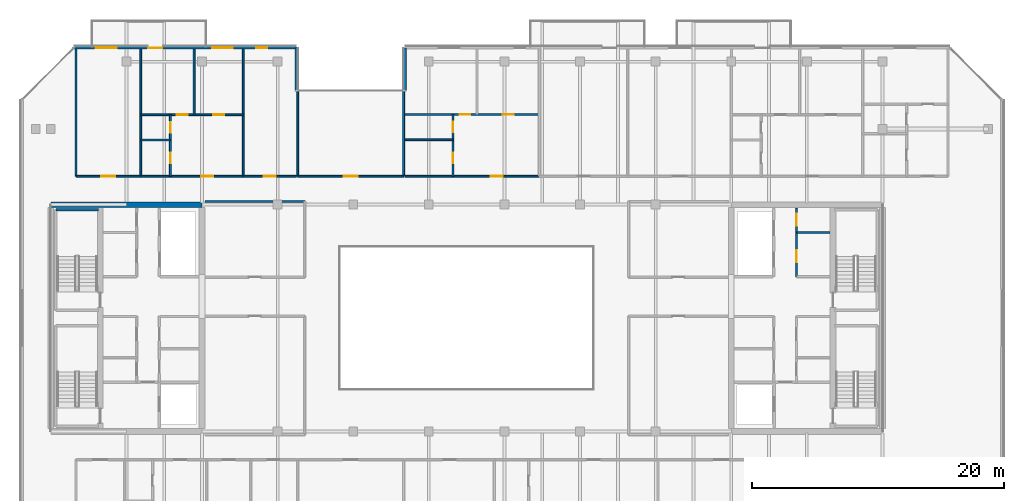
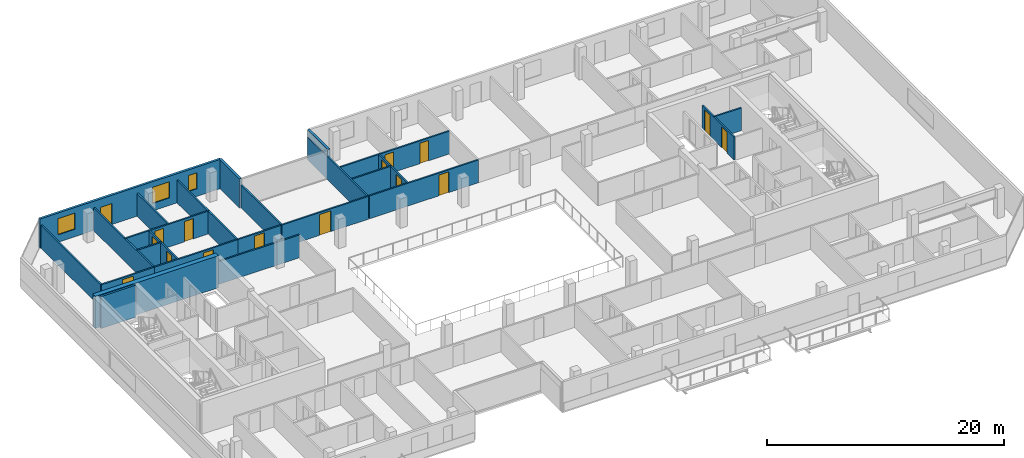
# One storey, part 17 of 24: 25 walls, 16 doors, 3 windows, 19 openings.
"""IFC4 building model written with IfcOpenShell, lengths in metres."""

from ifc_helpers import new_model, si_unit, direction, frame, frame_2d, origin, place, context, subcontext, project, spatial, rectangle, extrude, material, layer, layer_set, type_object, element, fill, save


model = new_model("IFC4")

# Units and contexts
model_context = context("Model", 3, precision=1e-05, world=origin(), true_north=direction((0.0, 1.0)))
body_context = subcontext(model_context, "Body", "Model", "MODEL_VIEW")
ifc_project = project(units=[si_unit("LENGTHUNIT", "METRE"), si_unit("AREAUNIT", "SQUARE_METRE"), si_unit("VOLUMEUNIT", "CUBIC_METRE"), si_unit("PLANEANGLEUNIT", "RADIAN"), si_unit("MASSUNIT", "GRAM", prefix="KILO")], contexts=[model_context])

# Site, building, storey
site_placement = place(None, origin())
site = spatial("IfcSite", under=ifc_project, at=site_placement, CompositionType="ELEMENT")
building_placement = place(site_placement, origin())
building = spatial("IfcBuilding", under=site, at=building_placement, Name="Tanjung Sevakor Pilgrim Tower", CompositionType="ELEMENT")
storey_placement = place(building_placement, frame((0.0, 0.0, 226.050048828125)))
storey = spatial("IfcBuildingStorey", under=building, at=storey_placement, Name="L63", CompositionType="ELEMENT", Elevation=226.050048828125)

# Walls
ifc_material_1 = material(Name="Concrete C60/75", Category="concrete")
ifc_layer_1 = layer(ifc_material_1, 0.449951171875)
ifc_layer_set_1 = layer_set([ifc_layer_1], Name="WALL-CW-450")
wall_type_1 = type_object("IfcWallType", Name="WALL-CW-450", PredefinedType="SHEAR", material=ifc_layer_set_1)
wall_1_placement = place(storey_placement, frame((36.0, 42.60009765625, 0.0), z_axis=(0.0, 0.0, 1.0), x_axis=(-1.0, 0.0, 0.0)))
element("IfcWall", 1, at=wall_1_placement, inside=storey, type_object=wall_type_1, Name="L63 W Core North Shear Wall", PredefinedType="SHEAR", context=body_context, shape_type="SweptSolid", body=[
    extrude(rectangle(XDim=12.0, YDim=0.449951171875, at=frame_2d((6.0, 0.0))), origin(), (0.0, 0.0, 1.0), 3.300048828125),
])
ifc_material_2 = material(Name="Concrete C40/50", Category="concrete")
ifc_layer_2 = layer(ifc_material_2, 0.14990234375)
ifc_layer_set_2 = layer_set([ifc_layer_2], Name="WT-COMP-150")
wall_type_2 = type_object("IfcWallType", Name="WT-COMP-150", PredefinedType="SOLIDWALL", material=ifc_layer_set_2)
wall_2_placement = place(storey_placement, frame((83.199951171875, 40.389892578125, 0.0), z_axis=(0.0, 0.0, 1.0), x_axis=(1.0, 0.0, 0.0)))
element("IfcWall", 2, at=wall_2_placement, inside=storey, type_object=wall_type_2, Name="L63 Partition IW-L63-023", PredefinedType="SOLIDWALL", context=body_context, shape_type="SweptSolid", body=[
    extrude(rectangle(XDim=2.630126953125, YDim=0.14990234375, at=frame_2d((1.31494140625, 0.0))), origin(), (0.0, 0.0, 1.0), 2.35009765625),
])

# Wall, openings, doors
wall_3_placement = place(storey_placement, frame((83.179931640625, 36.8798828125, 0.0), z_axis=(0.0, 0.0, 1.0), x_axis=(0.0, 1.0, 0.0)))
wall_3 = element("IfcWall", 3, at=wall_3_placement, inside=storey, type_object=wall_type_2, Name="L63 Partition IW-L63-024", PredefinedType="SOLIDWALL", context=body_context, shape_type="SweptSolid", body=[
    extrude(rectangle(XDim=5.420166015625, YDim=0.14990234375, at=frame_2d((2.7099609375, 0.0))), origin(), (0.0, 0.0, 1.0), 2.35009765625),
])
opening_1_placement = place(wall_3_placement, frame((1.14990234375, 0.0, 0.0)))
opening_1 = element("IfcOpeningElement", 4, at=opening_1_placement, cuts=wall_3, Name="Opening ID-FD2", PredefinedType="OPENING", context=body_context, shape_type="SweptSolid", body=[
    extrude(rectangle(XDim=0.949951171875, YDim=2.14990234375, at=frame_2d((0.47509765625, 1.074951171875))), frame((0.0, 0.0849609375, 0.0), z_axis=(0.0, -1.0, 0.0), x_axis=(1.0, 0.0, 0.0)), (0.0, 0.0, 1.0), 0.169921875),
])
opening_2_placement = place(wall_3_placement, frame((4.050048828125, 0.0, 0.0)))
opening_2 = element("IfcOpeningElement", 5, at=opening_2_placement, cuts=wall_3, Name="Opening ID-FD2", PredefinedType="OPENING", context=body_context, shape_type="SweptSolid", body=[
    extrude(rectangle(XDim=0.949951171875, YDim=2.14990234375, at=frame_2d((0.47509765625, 1.074951171875))), frame((0.0, 0.0849609375, 0.0), z_axis=(0.0, -1.0, 0.0), x_axis=(1.0, 0.0, 0.0)), (0.0, 0.0, 1.0), 0.169921875),
])
ifc_material_3 = material(Name="Fire-Rated Timber", Category="wood")
door_type_1 = type_object("IfcDoorType", Name="DT-FIRE-950", OperationType="NOTDEFINED", PredefinedType="DOOR", material=ifc_material_3)
door_1_placement = place(opening_1_placement, origin())
door_1 = element("IfcDoor", 6, at=door_1_placement, inside=storey, type_object=door_type_1, Name="L63 Core Study Room Door", OperationType="SINGLE_SWING_RIGHT", OverallHeight=2.14990234375, OverallWidth=0.949951171875, PredefinedType="DOOR", context=body_context, shape_type="SweptSolid", body=[
    extrude(rectangle(XDim=0.949951171875, YDim=2.14990234375, at=frame_2d((0.47509765625, 1.074951171875))), frame((0.0, 0.02490234375, 0.0), z_axis=(0.0, -1.0, 0.0), x_axis=(1.0, 0.0, 0.0)), (0.0, 0.0, 1.0), 0.050048828125),
])
fill(opening_1, door_1)
door_2_placement = place(opening_2_placement, origin())
door_2 = element("IfcDoor", 7, at=door_2_placement, inside=storey, type_object=door_type_1, Name="L63 Service Store Door", OperationType="SINGLE_SWING_LEFT", OverallHeight=2.14990234375, OverallWidth=0.949951171875, PredefinedType="DOOR", context=body_context, shape_type="SweptSolid", body=[
    extrude(rectangle(XDim=0.949951171875, YDim=2.14990234375, at=frame_2d((0.47509765625, 1.074951171875))), frame((0.0, 0.02490234375, 0.0), z_axis=(0.0, -1.0, 0.0), x_axis=(1.0, 0.0, 0.0)), (0.0, 0.0, 1.0), 0.050048828125),
])
fill(opening_2, door_2)

# Wall
wall_4_placement = place(storey_placement, frame((36.2451171875, 42.85009765625, 0.0), z_axis=(0.0, 0.0, 1.0), x_axis=(1.0, 0.0, 0.0)))
element("IfcWall", 8, at=wall_4_placement, inside=storey, type_object=wall_type_2, Name="L63 Partition IW-L63-031", PredefinedType="SOLIDWALL", context=body_context, shape_type="SweptSolid", body=[
    extrude(rectangle(XDim=7.90478515625, YDim=0.14990234375, at=frame_2d((3.952392578125, 0.0))), origin(), (0.0, 0.0, 1.0), 2.35009765625),
])

# Wall, opening, door
wall_5_placement = place(storey_placement, frame((43.60009765625, 44.85009765625, 0.0), z_axis=(0.0, 0.0, 1.0), x_axis=(1.0, 0.0, 0.0)))
wall_5 = element("IfcWall", 9, at=wall_5_placement, inside=storey, type_object=wall_type_2, Name="L63 Partition IW-L63-042", PredefinedType="SOLIDWALL", context=body_context, shape_type="SweptSolid", body=[
    extrude(rectangle(XDim=8.39990234375, YDim=0.14990234375, at=frame_2d((4.199951171875, 0.0))), origin(), (0.0, 0.0, 1.0), 2.35009765625),
])
opening_3_placement = place(wall_5_placement, frame((3.64990234375, 0.0, 0.0)))
opening_3 = element("IfcOpeningElement", 10, at=opening_3_placement, cuts=wall_5, Name="Opening ID-RM2", PredefinedType="OPENING", context=body_context, shape_type="SweptSolid", body=[
    extrude(rectangle(XDim=1.10009765625, YDim=2.14990234375, at=frame_2d((0.550048828125, 1.074951171875))), frame((0.0, 0.0849609375, 0.0), z_axis=(0.0, -1.0, 0.0), x_axis=(1.0, 0.0, 0.0)), (0.0, 0.0, 1.0), 0.169921875),
])
ifc_material_4 = material(Name="Hardwood Timber", Category="wood")
door_type_2 = type_object("IfcDoorType", Name="DT-INT-1100", OperationType="NOTDEFINED", PredefinedType="DOOR", material=ifc_material_4)
door_3_placement = place(opening_3_placement, origin())
door_3 = element("IfcDoor", 11, at=door_3_placement, inside=storey, type_object=door_type_2, Name="L63 North Cleft Reading Room Door", OperationType="SINGLE_SWING_LEFT", OverallHeight=2.14990234375, OverallWidth=1.10009765625, PredefinedType="DOOR", context=body_context, shape_type="SweptSolid", body=[
    extrude(rectangle(XDim=1.10009765625, YDim=2.14990234375, at=frame_2d((0.550048828125, 1.074951171875))), frame((0.0, 0.02490234375, 0.0), z_axis=(0.0, -1.0, 0.0), x_axis=(1.0, 0.0, 0.0)), (0.0, 0.0, 1.0), 0.050048828125),
])
fill(opening_3, door_3)

# Walls
for number, where, z_axis, x_axis, name in (
    (12, (43.60009765625, 44.85009765625, 0.0), (0.0, 0.0, 1.0), (0.0, 1.0, 0.0), "L63 Partition IW-L63-043"),
    (13, (52.0, 44.85009765625, 0.0), (0.0, 0.0, 1.0), (0.0, 1.0, 0.0), "L63 Partition IW-L63-044"),
    (14, (26.0, 44.85009765625, 0.0), (0.0, 0.0, 1.0), (0.0, 1.0, 0.0), "L63 Partition IW-L63-072"),
    (15, (31.138916015625, 44.85009765625, 0.0), (0.0, 0.0, 1.0), (0.0, 1.0, 0.0), "L63 Partition IW-L63-073"),
):
    element("IfcWall", number, at=place(storey_placement, frame(where, z_axis=z_axis, x_axis=x_axis)), inside=storey, type_object=wall_type_2, Name=name, PredefinedType="SOLIDWALL", context=body_context, shape_type="SweptSolid", body=[
        extrude(rectangle(XDim=10.079833984375, YDim=0.14990234375, at=frame_2d((5.0400390625, 0.0))), origin(), (0.0, 0.0, 1.0), 2.35009765625),
    ])

# Wall, opening, door
wall_6_placement = place(storey_placement, frame((26.0, 44.85009765625, 0.0), z_axis=(0.0, 0.0, 1.0), x_axis=(1.0, 0.0, 0.0)))
wall_6 = element("IfcWall", 16, at=wall_6_placement, inside=storey, type_object=wall_type_2, Name="L63 Partition IW-L63-074", PredefinedType="SOLIDWALL", context=body_context, shape_type="SweptSolid", body=[
    extrude(rectangle(XDim=5.138916015625, YDim=0.14990234375, at=frame_2d((2.5693359375, 0.0))), origin(), (0.0, 0.0, 1.0), 2.35009765625),
])
opening_4_placement = place(wall_6_placement, frame((2.019287109375, 0.0, 0.0)))
opening_4 = element("IfcOpeningElement", 17, at=opening_4_placement, cuts=wall_6, Name="Opening ID-FD0", PredefinedType="OPENING", context=body_context, shape_type="SweptSolid", body=[
    extrude(rectangle(XDim=1.10009765625, YDim=2.14990234375, at=frame_2d((0.550048828125, 1.074951171875))), frame((0.0, 0.0849609375, 0.0), z_axis=(0.0, -1.0, 0.0), x_axis=(1.0, 0.0, 0.0)), (0.0, 0.0, 1.0), 0.169921875),
])
ifc_material_5 = material(Name="Fire-Rated Steel S355J2", Category="steel")
door_type_3 = type_object("IfcDoorType", Name="DT-FIRE-1100", OperationType="NOTDEFINED", PredefinedType="DOOR", material=ifc_material_5)
door_4_placement = place(opening_4_placement, origin())
door_4 = element("IfcDoor", 18, at=door_4_placement, inside=storey, type_object=door_type_3, Name="Seminar Room Door", OperationType="SINGLE_SWING_LEFT", OverallHeight=2.14990234375, OverallWidth=1.10009765625, PredefinedType="DOOR", context=body_context, shape_type="SweptSolid", body=[
    extrude(rectangle(XDim=1.10009765625, YDim=2.14990234375, at=frame_2d((0.550048828125, 1.074951171875))), frame((0.0, 0.02490234375, 0.0), z_axis=(0.0, -1.0, 0.0), x_axis=(1.0, 0.0, 0.0)), (0.0, 0.0, 1.0), 0.050048828125),
])
fill(opening_4, door_4)

# Wall
wall_7_placement = place(storey_placement, frame((39.275390625, 44.85009765625, 0.0), z_axis=(0.0, 0.0, 1.0), x_axis=(0.0, 1.0, 0.0)))
element("IfcWall", 19, at=wall_7_placement, inside=storey, type_object=wall_type_2, Name="L63 Partition IW-L63-075", PredefinedType="SOLIDWALL", context=body_context, shape_type="SweptSolid", body=[
    extrude(rectangle(XDim=10.079833984375, YDim=0.14990234375, at=frame_2d((5.0400390625, 0.0))), origin(), (0.0, 0.0, 1.0), 2.35009765625),
])

# Wall, opening, door
wall_8_placement = place(storey_placement, frame((31.138916015625, 44.85009765625, 0.0), z_axis=(0.0, 0.0, 1.0), x_axis=(1.0, 0.0, 0.0)))
wall_8 = element("IfcWall", 20, at=wall_8_placement, inside=storey, type_object=wall_type_2, Name="L63 Partition IW-L63-080", PredefinedType="SOLIDWALL", context=body_context, shape_type="SweptSolid", body=[
    extrude(rectangle(XDim=8.136474609375, YDim=0.14990234375, at=frame_2d((4.068359375, 0.0))), origin(), (0.0, 0.0, 1.0), 2.35009765625),
])
opening_5_placement = place(wall_8_placement, frame((4.808349609375, 0.0, 0.0)))
opening_5 = element("IfcOpeningElement", 21, at=opening_5_placement, cuts=wall_8, Name="Opening ID-FD2", PredefinedType="OPENING", context=body_context, shape_type="SweptSolid", body=[
    extrude(rectangle(XDim=0.949951171875, YDim=2.14990234375, at=frame_2d((0.47509765625, 1.074951171875))), frame((0.0, 0.0849609375, 0.0), z_axis=(0.0, -1.0, 0.0), x_axis=(1.0, 0.0, 0.0)), (0.0, 0.0, 1.0), 0.169921875),
])
door_5_placement = place(opening_5_placement, origin())
door_5 = element("IfcDoor", 22, at=door_5_placement, inside=storey, type_object=door_type_1, Name="Suite Entrance", OperationType="SINGLE_SWING_RIGHT", OverallHeight=2.14990234375, OverallWidth=0.949951171875, PredefinedType="DOOR", context=body_context, shape_type="SweptSolid", body=[
    extrude(rectangle(XDim=0.949951171875, YDim=2.14990234375, at=frame_2d((0.47509765625, 1.074951171875))), frame((0.0, 0.02490234375, 0.0), z_axis=(0.0, -1.0, 0.0), x_axis=(1.0, 0.0, 0.0)), (0.0, 0.0, 1.0), 0.050048828125),
])
fill(opening_5, door_5)

wall_9_placement = place(storey_placement, frame((39.275390625, 44.85009765625, 0.0), z_axis=(0.0, 0.0, 1.0), x_axis=(1.0, 0.0, 0.0)))
wall_9 = element("IfcWall", 23, at=wall_9_placement, inside=storey, type_object=wall_type_2, Name="L63 Partition IW-L63-081", PredefinedType="SOLIDWALL", context=body_context, shape_type="SweptSolid", body=[
    extrude(rectangle(XDim=4.20458984375, YDim=0.14990234375, at=frame_2d((2.102294921875, 0.0))), origin(), (0.0, 0.0, 1.0), 2.35009765625),
])
opening_6_placement = place(wall_9_placement, frame((1.627197265625, 0.0, 0.0)))
opening_6 = element("IfcOpeningElement", 24, at=opening_6_placement, cuts=wall_9, Name="Opening ID-FD2", PredefinedType="OPENING", context=body_context, shape_type="SweptSolid", body=[
    extrude(rectangle(XDim=0.949951171875, YDim=2.14990234375, at=frame_2d((0.47509765625, 1.074951171875))), frame((0.0, 0.0849609375, 0.0), z_axis=(0.0, -1.0, 0.0), x_axis=(1.0, 0.0, 0.0)), (0.0, 0.0, 1.0), 0.169921875),
])
door_6_placement = place(opening_6_placement, origin())
door_6 = element("IfcDoor", 25, at=door_6_placement, inside=storey, type_object=door_type_1, Name="Study Room Entrance", OperationType="SINGLE_SWING_LEFT", OverallHeight=2.14990234375, OverallWidth=0.949951171875, PredefinedType="DOOR", context=body_context, shape_type="SweptSolid", body=[
    extrude(rectangle(XDim=0.949951171875, YDim=2.14990234375, at=frame_2d((0.47509765625, 1.074951171875))), frame((0.0, 0.02490234375, 0.0), z_axis=(0.0, -1.0, 0.0), x_axis=(1.0, 0.0, 0.0)), (0.0, 0.0, 1.0), 0.050048828125),
])
fill(opening_6, door_6)

wall_10_placement = place(storey_placement, frame((52.1201171875, 44.85009765625, 0.0), z_axis=(0.0, 0.0, 1.0), x_axis=(1.0, 0.0, 0.0)))
wall_10 = element("IfcWall", 26, at=wall_10_placement, inside=storey, type_object=wall_type_2, Name="L63 Partition IW-L63-088", PredefinedType="SOLIDWALL", context=body_context, shape_type="SweptSolid", body=[
    extrude(rectangle(XDim=10.64892578125, YDim=0.14990234375, at=frame_2d((5.324462890625, 0.0))), origin(), (0.0, 0.0, 1.0), 2.35009765625),
])
opening_7_placement = place(wall_10_placement, frame((6.78955078125, 0.0, 0.0)))
opening_7 = element("IfcOpeningElement", 27, at=opening_7_placement, cuts=wall_10, Name="Opening ID-FD2", PredefinedType="OPENING", context=body_context, shape_type="SweptSolid", body=[
    extrude(rectangle(XDim=0.949951171875, YDim=2.14990234375, at=frame_2d((0.47509765625, 1.074951171875))), frame((0.0, 0.0849609375, 0.0), z_axis=(0.0, -1.0, 0.0), x_axis=(1.0, 0.0, 0.0)), (0.0, 0.0, 1.0), 0.169921875),
])
door_7_placement = place(opening_7_placement, origin())
door_7 = element("IfcDoor", 28, at=door_7_placement, inside=storey, type_object=door_type_1, Name="Suite Entrance", OperationType="SINGLE_SWING_RIGHT", OverallHeight=2.14990234375, OverallWidth=0.949951171875, PredefinedType="DOOR", context=body_context, shape_type="SweptSolid", body=[
    extrude(rectangle(XDim=0.949951171875, YDim=2.14990234375, at=frame_2d((0.47509765625, 1.074951171875))), frame((0.0, 0.02490234375, 0.0), z_axis=(0.0, -1.0, 0.0), x_axis=(1.0, 0.0, 0.0)), (0.0, 0.0, 1.0), 0.050048828125),
])
fill(opening_7, door_7)

# Walls
ifc_material_6 = material(Name="Precast concrete C45/55", Category="concrete")
ifc_layer_3 = layer(ifc_material_6, 0.219970703125)
ifc_layer_set_3 = layer_set([ifc_layer_3], Name="WT-EW-STN4")
wall_type_3 = type_object("IfcWallType", Name="WT-EW-STN4", PredefinedType="SOLIDWALL", material=ifc_layer_set_3)
for number, where, z_axis, x_axis, name in (
    (29, (52.110107421875, 55.0400390625, 0.0), (0.0, 0.0, 1.0), (0.0, -1.0, 0.0), "L63 MAIN Exterior Wall 10"),
    (30, (43.489990234375, 51.639892578125, 0.0), (0.0, 0.0, 1.0), (0.0, 1.0, 0.0), "L63 MAIN Exterior Wall 12"),
):
    element("IfcWall", number, at=place(storey_placement, frame(where, z_axis=z_axis, x_axis=x_axis)), inside=storey, type_object=wall_type_3, Name=name, PredefinedType="SOLIDWALL", context=body_context, shape_type="SweptSolid", body=[
        extrude(rectangle(XDim=3.400146484375, YDim=0.219970703125, at=frame_2d((1.7001953125, 0.0))), origin(), (0.0, 0.0, 1.0), 3.02001953125),
    ])

# Wall, openings, door, windows
wall_11_placement = place(storey_placement, frame((43.489990234375, 55.0400390625, 0.0), z_axis=(0.0, 0.0, 1.0), x_axis=(-1.0, 0.0, 0.0)))
wall_11 = element("IfcWall", 31, at=wall_11_placement, inside=storey, type_object=wall_type_3, Name="L63 MAIN Exterior Wall 13", PredefinedType="SOLIDWALL", context=body_context, shape_type="SweptSolid", body=[
    extrude(rectangle(XDim=17.644287109375, YDim=0.219970703125, at=frame_2d((8.822265625, 0.0))), origin(), (0.0, 0.0, 1.0), 3.02001953125),
])
opening_8_placement = place(wall_11_placement, frame((10.639892578125, 0.0, 0.0)))
opening_8 = element("IfcOpeningElement", 32, at=opening_8_placement, cuts=wall_11, Name="Opening ED-BAL-1100", PredefinedType="OPENING", context=body_context, shape_type="SweptSolid", body=[
    extrude(rectangle(XDim=1.10009765625, YDim=2.14990234375, at=frame_2d((0.550048828125, 1.074951171875))), frame((0.0, 0.119873046875, 0.0), z_axis=(0.0, -1.0, 0.0), x_axis=(1.0, 0.0, 0.0)), (0.0, 0.0, 1.0), 0.239990234375),
])
opening_9_placement = place(wall_11_placement, frame((14.255615234375, 0.0, 0.780029296875)))
opening_9 = element("IfcOpeningElement", 33, at=opening_9_placement, cuts=wall_11, Name="Opening WN-Z4-1660", PredefinedType="OPENING", context=body_context, shape_type="SweptSolid", body=[
    extrude(rectangle(XDim=1.64990234375, YDim=1.659912109375, at=frame_2d((0.824951171875, 0.830078125))), frame((0.0, 0.119873046875, 0.0), z_axis=(0.0, -1.0, 0.0), x_axis=(1.0, 0.0, 0.0)), (0.0, 0.0, 1.0), 0.239990234375),
])
opening_10_placement = place(wall_11_placement, frame((5.0322265625, 0.0, 0.780029296875)))
opening_10 = element("IfcOpeningElement", 34, at=opening_10_placement, cuts=wall_11, Name="Opening WN-Z4-1660", PredefinedType="OPENING", context=body_context, shape_type="SweptSolid", body=[
    extrude(rectangle(XDim=1.64990234375, YDim=1.659912109375, at=frame_2d((0.824951171875, 0.830078125))), frame((0.0, 0.119873046875, 0.0), z_axis=(0.0, -1.0, 0.0), x_axis=(1.0, 0.0, 0.0)), (0.0, 0.0, 1.0), 0.239990234375),
])
opening_11_placement = place(wall_11_placement, frame((2.327392578125, 0.0, 0.780029296875)))
opening_11 = element("IfcOpeningElement", 35, at=opening_11_placement, cuts=wall_11, Name="Opening WN-SLM", PredefinedType="OPENING", context=body_context, shape_type="SweptSolid", body=[
    extrude(rectangle(XDim=0.85009765625, YDim=1.64990234375, at=frame_2d((0.425048828125, 0.824951171875))), frame((0.0, 0.119873046875, 0.0), z_axis=(0.0, -1.0, 0.0), x_axis=(1.0, 0.0, 0.0)), (0.0, 0.0, 1.0), 0.239990234375),
])
ifc_material_7 = material(Name="Anodised Aluminium and Laminated Glass", Category="aluminium")
door_type_4 = type_object("IfcDoorType", Name="DTYP-ED-BAL-1100", OperationType="NOTDEFINED", PredefinedType="DOOR", material=ifc_material_7)
door_8_placement = place(opening_8_placement, frame((1.10009765625, 0.0, 0.0), z_axis=(0.0, 0.0, 1.0), x_axis=(-1.0, 0.0, 0.0)))
door_8 = element("IfcDoor", 36, at=door_8_placement, inside=storey, type_object=door_type_4, Name="L63 Balcony Door MAIN-N1", OperationType="SINGLE_SWING_RIGHT", OverallHeight=2.14990234375, OverallWidth=1.10009765625, PredefinedType="DOOR", context=body_context, shape_type="SweptSolid", body=[
    extrude(rectangle(XDim=1.10009765625, YDim=2.14990234375, at=frame_2d((0.550048828125, 1.074951171875))), frame((0.0, 0.02490234375, 0.0), z_axis=(0.0, -1.0, 0.0), x_axis=(1.0, 0.0, 0.0)), (0.0, 0.0, 1.0), 0.050048828125),
])
fill(opening_8, door_8)
ifc_material_8 = material(Name="Thermally Broken Aluminium and Low-E Glass", Category="aluminium")
window_type_1 = type_object("IfcWindowType", Name="WTYP-WN-SLM", PartitioningType="SINGLE_PANEL", PredefinedType="WINDOW", material=ifc_material_8)
window_1_placement = place(opening_11_placement, origin())
window_1 = element("IfcWindow", 37, at=window_1_placement, inside=storey, type_object=window_type_1, Name="L63 Facade Window 03", OverallHeight=1.64990234375, OverallWidth=0.85009765625, PartitioningType="SINGLE_PANEL", PredefinedType="WINDOW", context=body_context, shape_type="SweptSolid", body=[
    extrude(rectangle(XDim=0.85009765625, YDim=1.64990234375, at=frame_2d((0.425048828125, 0.824951171875))), frame((0.0, 0.030029296875, 0.0), z_axis=(0.0, -1.0, 0.0), x_axis=(1.0, 0.0, 0.0)), (0.0, 0.0, 1.0), 0.06005859375),
])
fill(opening_11, window_1)
ifc_material_9 = material(Name="Thermally Broken Aluminium and Low-E Glass", Category="aluminium")
window_type_2 = type_object("IfcWindowType", Name="WTYP-WN-Z4-1660", PartitioningType="DOUBLE_PANEL_VERTICAL", PredefinedType="WINDOW", material=ifc_material_9)
window_2_placement = place(opening_9_placement, origin())
window_2 = element("IfcWindow", 38, at=window_2_placement, inside=storey, type_object=window_type_2, Name="L63 Facade Window 01", OverallHeight=1.659912109375, OverallWidth=1.64990234375, PartitioningType="SINGLE_PANEL", PredefinedType="WINDOW", context=body_context, shape_type="SweptSolid", body=[
    extrude(rectangle(XDim=1.64990234375, YDim=1.659912109375, at=frame_2d((0.824951171875, 0.830078125))), frame((0.0, 0.030029296875, 0.0), z_axis=(0.0, -1.0, 0.0), x_axis=(1.0, 0.0, 0.0)), (0.0, 0.0, 1.0), 0.06005859375),
])
fill(opening_9, window_2)
window_3_placement = place(opening_10_placement, origin())
window_3 = element("IfcWindow", 39, at=window_3_placement, inside=storey, type_object=window_type_2, Name="L63 Facade Window 02", OverallHeight=1.659912109375, OverallWidth=1.64990234375, PartitioningType="SINGLE_PANEL", PredefinedType="WINDOW", context=body_context, shape_type="SweptSolid", body=[
    extrude(rectangle(XDim=1.64990234375, YDim=1.659912109375, at=frame_2d((0.824951171875, 0.830078125))), frame((0.0, 0.030029296875, 0.0), z_axis=(0.0, -1.0, 0.0), x_axis=(1.0, 0.0, 0.0)), (0.0, 0.0, 1.0), 0.06005859375),
])
fill(opening_10, window_3)

# Walls
ifc_material_10 = material(Name="Concrete C40/50", Category="concrete")
ifc_layer_4 = layer(ifc_material_10, 0.199951171875)
ifc_layer_set_4 = layer_set([ifc_layer_4], Name="WT-FIRE-200")
wall_type_4 = type_object("IfcWallType", Name="WT-FIRE-200", PredefinedType="SOLIDWALL", material=ifc_layer_set_4)
wall_12_placement = place(storey_placement, frame((27.800048828125, 42.199951171875, 0.0), z_axis=(0.0, 0.0, 1.0), x_axis=(-1.0, 0.0, 0.0)))
element("IfcWall", 40, at=wall_12_placement, inside=storey, type_object=wall_type_4, Name="L63 TS-W2 Shaft Wall 2", PredefinedType="SOLIDWALL", context=body_context, shape_type="SweptSolid", body=[
    extrude(rectangle(XDim=3.400146484375, YDim=0.199951171875, at=frame_2d((1.7001953125, 0.0))), origin(), (0.0, 0.0, 1.0), 3.300048828125),
])
ifc_material_11 = material(Name="Gypsum Board Partition", Category="gypsum board")
ifc_layer_5 = layer(ifc_material_11, 0.14990234375)
ifc_layer_set_5 = layer_set([ifc_layer_5], Name="WT-PART-150")
wall_type_5 = type_object("IfcWallType", Name="WT-PART-150", PredefinedType="PARTITIONING", material=ifc_layer_set_5)
wall_13_placement = place(storey_placement, frame((31.138916015625, 47.729248046875, 0.0), z_axis=(0.0, 0.0, 1.0), x_axis=(1.0, 0.0, 0.0)))
element("IfcWall", 41, at=wall_13_placement, inside=storey, type_object=wall_type_5, Name="L63 Partition IW-L63-076", PredefinedType="PARTITIONING", context=body_context, shape_type="SweptSolid", body=[
    extrude(rectangle(XDim=2.35009765625, YDim=0.14990234375, at=frame_2d((1.175048828125, 0.0))), origin(), (0.0, 0.0, 1.0), 2.35009765625),
])

# Wall, openings, doors
wall_14_placement = place(storey_placement, frame((33.489013671875, 44.85009765625, 0.0), z_axis=(0.0, 0.0, 1.0), x_axis=(0.0, 1.0, 0.0)))
wall_14 = element("IfcWall", 42, at=wall_14_placement, inside=storey, type_object=wall_type_5, Name="L63 Partition IW-L63-077", PredefinedType="PARTITIONING", context=body_context, shape_type="SweptSolid", body=[
    extrude(rectangle(XDim=4.8798828125, YDim=0.14990234375, at=frame_2d((2.43994140625, 0.0))), origin(), (0.0, 0.0, 1.0), 2.35009765625),
])
opening_12_placement = place(wall_14_placement, frame((1.0146484375, 0.0, 0.0)))
opening_12 = element("IfcOpeningElement", 43, at=opening_12_placement, cuts=wall_14, Name="Opening ID-WC1", PredefinedType="OPENING", context=body_context, shape_type="SweptSolid", body=[
    extrude(rectangle(XDim=0.85009765625, YDim=2.10009765625, at=frame_2d((0.425048828125, 1.050048828125))), frame((0.0, 0.0849609375, 0.0), z_axis=(0.0, -1.0, 0.0), x_axis=(1.0, 0.0, 0.0)), (0.0, 0.0, 1.0), 0.169921875),
])
opening_13_placement = place(wall_14_placement, frame((3.45458984375, 0.0, 0.0)))
opening_13 = element("IfcOpeningElement", 44, at=opening_13_placement, cuts=wall_14, Name="Opening ID-WC1", PredefinedType="OPENING", context=body_context, shape_type="SweptSolid", body=[
    extrude(rectangle(XDim=0.85009765625, YDim=2.10009765625, at=frame_2d((0.425048828125, 1.050048828125))), frame((0.0, 0.0849609375, 0.0), z_axis=(0.0, -1.0, 0.0), x_axis=(1.0, 0.0, 0.0)), (0.0, 0.0, 1.0), 0.169921875),
])
ifc_material_12 = material(Name="Moisture-Resistant Timber", Category="wood")
door_type_5 = type_object("IfcDoorType", Name="DT-INT-850", OperationType="NOTDEFINED", PredefinedType="DOOR", material=ifc_material_12)
door_9_placement = place(opening_12_placement, origin())
door_9 = element("IfcDoor", 45, at=door_9_placement, inside=storey, type_object=door_type_5, Name="Suite Kitchenette Door", OperationType="SINGLE_SWING_RIGHT", OverallHeight=2.10009765625, OverallWidth=0.85009765625, PredefinedType="DOOR", context=body_context, shape_type="SweptSolid", body=[
    extrude(rectangle(XDim=0.85009765625, YDim=2.10009765625, at=frame_2d((0.425048828125, 1.050048828125))), frame((0.0, 0.02490234375, 0.0), z_axis=(0.0, -1.0, 0.0), x_axis=(1.0, 0.0, 0.0)), (0.0, 0.0, 1.0), 0.050048828125),
])
fill(opening_12, door_9)
door_10_placement = place(opening_13_placement, origin())
door_10 = element("IfcDoor", 46, at=door_10_placement, inside=storey, type_object=door_type_5, Name="Suite Bathroom Door", OperationType="SINGLE_SWING_LEFT", OverallHeight=2.10009765625, OverallWidth=0.85009765625, PredefinedType="DOOR", context=body_context, shape_type="SweptSolid", body=[
    extrude(rectangle(XDim=0.85009765625, YDim=2.10009765625, at=frame_2d((0.425048828125, 1.050048828125))), frame((0.0, 0.02490234375, 0.0), z_axis=(0.0, -1.0, 0.0), x_axis=(1.0, 0.0, 0.0)), (0.0, 0.0, 1.0), 0.050048828125),
])
fill(opening_13, door_10)

# Wall
wall_15_placement = place(storey_placement, frame((35.369873046875, 49.72998046875, 0.0), z_axis=(0.0, 0.0, 1.0), x_axis=(0.0, 1.0, 0.0)))
element("IfcWall", 47, at=wall_15_placement, inside=storey, type_object=wall_type_5, Name="L63 Partition IW-L63-078", PredefinedType="PARTITIONING", context=body_context, shape_type="SweptSolid", body=[
    extrude(rectangle(XDim=5.199951171875, YDim=0.14990234375, at=frame_2d((2.60009765625, 0.0))), origin(), (0.0, 0.0, 1.0), 2.35009765625),
])

# Wall, openings, doors
wall_16_placement = place(storey_placement, frame((31.138916015625, 49.72998046875, 0.0), z_axis=(0.0, 0.0, 1.0), x_axis=(1.0, 0.0, 0.0)))
wall_16 = element("IfcWall", 48, at=wall_16_placement, inside=storey, type_object=wall_type_5, Name="L63 Partition IW-L63-079", PredefinedType="PARTITIONING", context=body_context, shape_type="SweptSolid", body=[
    extrude(rectangle(XDim=8.136474609375, YDim=0.14990234375, at=frame_2d((4.068359375, 0.0))), origin(), (0.0, 0.0, 1.0), 2.35009765625),
])
opening_14_placement = place(wall_16_placement, frame((2.865478515625, 0.0, 0.0)))
opening_14 = element("IfcOpeningElement", 49, at=opening_14_placement, cuts=wall_16, Name="Opening ID-WC1", PredefinedType="OPENING", context=body_context, shape_type="SweptSolid", body=[
    extrude(rectangle(XDim=0.85009765625, YDim=2.10009765625, at=frame_2d((0.425048828125, 1.050048828125))), frame((0.0, 0.0849609375, 0.0), z_axis=(0.0, -1.0, 0.0), x_axis=(1.0, 0.0, 0.0)), (0.0, 0.0, 1.0), 0.169921875),
])
opening_15_placement = place(wall_16_placement, frame((5.7587890625, 0.0, 0.0)))
opening_15 = element("IfcOpeningElement", 50, at=opening_15_placement, cuts=wall_16, Name="Opening ID-WC1", PredefinedType="OPENING", context=body_context, shape_type="SweptSolid", body=[
    extrude(rectangle(XDim=0.85009765625, YDim=2.10009765625, at=frame_2d((0.425048828125, 1.050048828125))), frame((0.0, 0.0849609375, 0.0), z_axis=(0.0, -1.0, 0.0), x_axis=(1.0, 0.0, 0.0)), (0.0, 0.0, 1.0), 0.169921875),
])
door_11_placement = place(opening_14_placement, origin())
door_11 = element("IfcDoor", 51, at=door_11_placement, inside=storey, type_object=door_type_5, Name="Suite Bedroom 1 Door", OperationType="SINGLE_SWING_RIGHT", OverallHeight=2.10009765625, OverallWidth=0.85009765625, PredefinedType="DOOR", context=body_context, shape_type="SweptSolid", body=[
    extrude(rectangle(XDim=0.85009765625, YDim=2.10009765625, at=frame_2d((0.425048828125, 1.050048828125))), frame((0.0, 0.02490234375, 0.0), z_axis=(0.0, -1.0, 0.0), x_axis=(1.0, 0.0, 0.0)), (0.0, 0.0, 1.0), 0.050048828125),
])
fill(opening_14, door_11)
door_12_placement = place(opening_15_placement, origin())
door_12 = element("IfcDoor", 52, at=door_12_placement, inside=storey, type_object=door_type_5, Name="Suite Bedroom 2 Door", OperationType="SINGLE_SWING_LEFT", OverallHeight=2.10009765625, OverallWidth=0.85009765625, PredefinedType="DOOR", context=body_context, shape_type="SweptSolid", body=[
    extrude(rectangle(XDim=0.85009765625, YDim=2.10009765625, at=frame_2d((0.425048828125, 1.050048828125))), frame((0.0, 0.02490234375, 0.0), z_axis=(0.0, -1.0, 0.0), x_axis=(1.0, 0.0, 0.0)), (0.0, 0.0, 1.0), 0.050048828125),
])
fill(opening_15, door_12)

# Wall
wall_17_placement = place(storey_placement, frame((52.1201171875, 47.74365234375, 0.0), z_axis=(0.0, 0.0, 1.0), x_axis=(1.0, 0.0, 0.0)))
element("IfcWall", 53, at=wall_17_placement, inside=storey, type_object=wall_type_5, Name="L63 Partition IW-L63-084", PredefinedType="PARTITIONING", context=body_context, shape_type="SweptSolid", body=[
    extrude(rectangle(XDim=3.7998046875, YDim=0.14990234375, at=frame_2d((1.89990234375, 0.0))), origin(), (0.0, 0.0, 1.0), 2.35009765625),
])

# Wall, openings, doors
wall_18_placement = place(storey_placement, frame((55.919921875, 44.85009765625, 0.0), z_axis=(0.0, 0.0, 1.0), x_axis=(0.0, 1.0, 0.0)))
wall_18 = element("IfcWall", 54, at=wall_18_placement, inside=storey, type_object=wall_type_5, Name="L63 Partition IW-L63-085", PredefinedType="PARTITIONING", context=body_context, shape_type="SweptSolid", body=[
    extrude(rectangle(XDim=4.904541015625, YDim=0.14990234375, at=frame_2d((2.4521484375, 0.0))), origin(), (0.0, 0.0, 1.0), 2.35009765625),
])
opening_16_placement = place(wall_18_placement, frame((1.021728515625, 0.0, 0.0)))
opening_16 = element("IfcOpeningElement", 55, at=opening_16_placement, cuts=wall_18, Name="Opening ID-WC1", PredefinedType="OPENING", context=body_context, shape_type="SweptSolid", body=[
    extrude(rectangle(XDim=0.85009765625, YDim=2.10009765625, at=frame_2d((0.425048828125, 1.050048828125))), frame((0.0, 0.0849609375, 0.0), z_axis=(0.0, -1.0, 0.0), x_axis=(1.0, 0.0, 0.0)), (0.0, 0.0, 1.0), 0.169921875),
])
opening_17_placement = place(wall_18_placement, frame((3.47412109375, 0.0, 0.0)))
opening_17 = element("IfcOpeningElement", 56, at=opening_17_placement, cuts=wall_18, Name="Opening ID-WC1", PredefinedType="OPENING", context=body_context, shape_type="SweptSolid", body=[
    extrude(rectangle(XDim=0.85009765625, YDim=2.10009765625, at=frame_2d((0.425048828125, 1.050048828125))), frame((0.0, 0.0849609375, 0.0), z_axis=(0.0, -1.0, 0.0), x_axis=(1.0, 0.0, 0.0)), (0.0, 0.0, 1.0), 0.169921875),
])
door_13_placement = place(opening_16_placement, origin())
door_13 = element("IfcDoor", 57, at=door_13_placement, inside=storey, type_object=door_type_5, Name="Suite Kitchenette Door", OperationType="SINGLE_SWING_RIGHT", OverallHeight=2.10009765625, OverallWidth=0.85009765625, PredefinedType="DOOR", context=body_context, shape_type="SweptSolid", body=[
    extrude(rectangle(XDim=0.85009765625, YDim=2.10009765625, at=frame_2d((0.425048828125, 1.050048828125))), frame((0.0, 0.02490234375, 0.0), z_axis=(0.0, -1.0, 0.0), x_axis=(1.0, 0.0, 0.0)), (0.0, 0.0, 1.0), 0.050048828125),
])
fill(opening_16, door_13)
door_14_placement = place(opening_17_placement, origin())
door_14 = element("IfcDoor", 58, at=door_14_placement, inside=storey, type_object=door_type_5, Name="Suite Bathroom Door", OperationType="SINGLE_SWING_LEFT", OverallHeight=2.10009765625, OverallWidth=0.85009765625, PredefinedType="DOOR", context=body_context, shape_type="SweptSolid", body=[
    extrude(rectangle(XDim=0.85009765625, YDim=2.10009765625, at=frame_2d((0.425048828125, 1.050048828125))), frame((0.0, 0.02490234375, 0.0), z_axis=(0.0, -1.0, 0.0), x_axis=(1.0, 0.0, 0.0)), (0.0, 0.0, 1.0), 0.050048828125),
])
fill(opening_17, door_14)

wall_19_placement = place(storey_placement, frame((52.1201171875, 49.754638671875, 0.0), z_axis=(0.0, 0.0, 1.0), x_axis=(1.0, 0.0, 0.0)))
wall_19 = element("IfcWall", 59, at=wall_19_placement, inside=storey, type_object=wall_type_5, Name="L63 Partition IW-L63-087", PredefinedType="PARTITIONING", context=body_context, shape_type="SweptSolid", body=[
    extrude(rectangle(XDim=10.64892578125, YDim=0.14990234375, at=frame_2d((5.324462890625, 0.0))), origin(), (0.0, 0.0, 1.0), 2.35009765625),
])
opening_18_placement = place(wall_19_placement, frame((4.324951171875, 0.0, 0.0)))
opening_18 = element("IfcOpeningElement", 60, at=opening_18_placement, cuts=wall_19, Name="Opening ID-WC1", PredefinedType="OPENING", context=body_context, shape_type="SweptSolid", body=[
    extrude(rectangle(XDim=0.85009765625, YDim=2.10009765625, at=frame_2d((0.425048828125, 1.050048828125))), frame((0.0, 0.0849609375, 0.0), z_axis=(0.0, -1.0, 0.0), x_axis=(1.0, 0.0, 0.0)), (0.0, 0.0, 1.0), 0.169921875),
])
opening_19_placement = place(wall_19_placement, frame((7.74951171875, 0.0, 0.0)))
opening_19 = element("IfcOpeningElement", 61, at=opening_19_placement, cuts=wall_19, Name="Opening ID-WC1", PredefinedType="OPENING", context=body_context, shape_type="SweptSolid", body=[
    extrude(rectangle(XDim=0.85009765625, YDim=2.10009765625, at=frame_2d((0.425048828125, 1.050048828125))), frame((0.0, 0.0849609375, 0.0), z_axis=(0.0, -1.0, 0.0), x_axis=(1.0, 0.0, 0.0)), (0.0, 0.0, 1.0), 0.169921875),
])
door_15_placement = place(opening_18_placement, origin())
door_15 = element("IfcDoor", 62, at=door_15_placement, inside=storey, type_object=door_type_5, Name="Suite Bedroom 1 Door", OperationType="SINGLE_SWING_RIGHT", OverallHeight=2.10009765625, OverallWidth=0.85009765625, PredefinedType="DOOR", context=body_context, shape_type="SweptSolid", body=[
    extrude(rectangle(XDim=0.85009765625, YDim=2.10009765625, at=frame_2d((0.425048828125, 1.050048828125))), frame((0.0, 0.02490234375, 0.0), z_axis=(0.0, -1.0, 0.0), x_axis=(1.0, 0.0, 0.0)), (0.0, 0.0, 1.0), 0.050048828125),
])
fill(opening_18, door_15)
door_16_placement = place(opening_19_placement, origin())
door_16 = element("IfcDoor", 63, at=door_16_placement, inside=storey, type_object=door_type_5, Name="Suite Bedroom 2 Door", OperationType="SINGLE_SWING_LEFT", OverallHeight=2.10009765625, OverallWidth=0.85009765625, PredefinedType="DOOR", context=body_context, shape_type="SweptSolid", body=[
    extrude(rectangle(XDim=0.85009765625, YDim=2.10009765625, at=frame_2d((0.425048828125, 1.050048828125))), frame((0.0, 0.02490234375, 0.0), z_axis=(0.0, -1.0, 0.0), x_axis=(1.0, 0.0, 0.0)), (0.0, 0.0, 1.0), 0.050048828125),
])
fill(opening_19, door_16)

save(model, "model.ifc")
